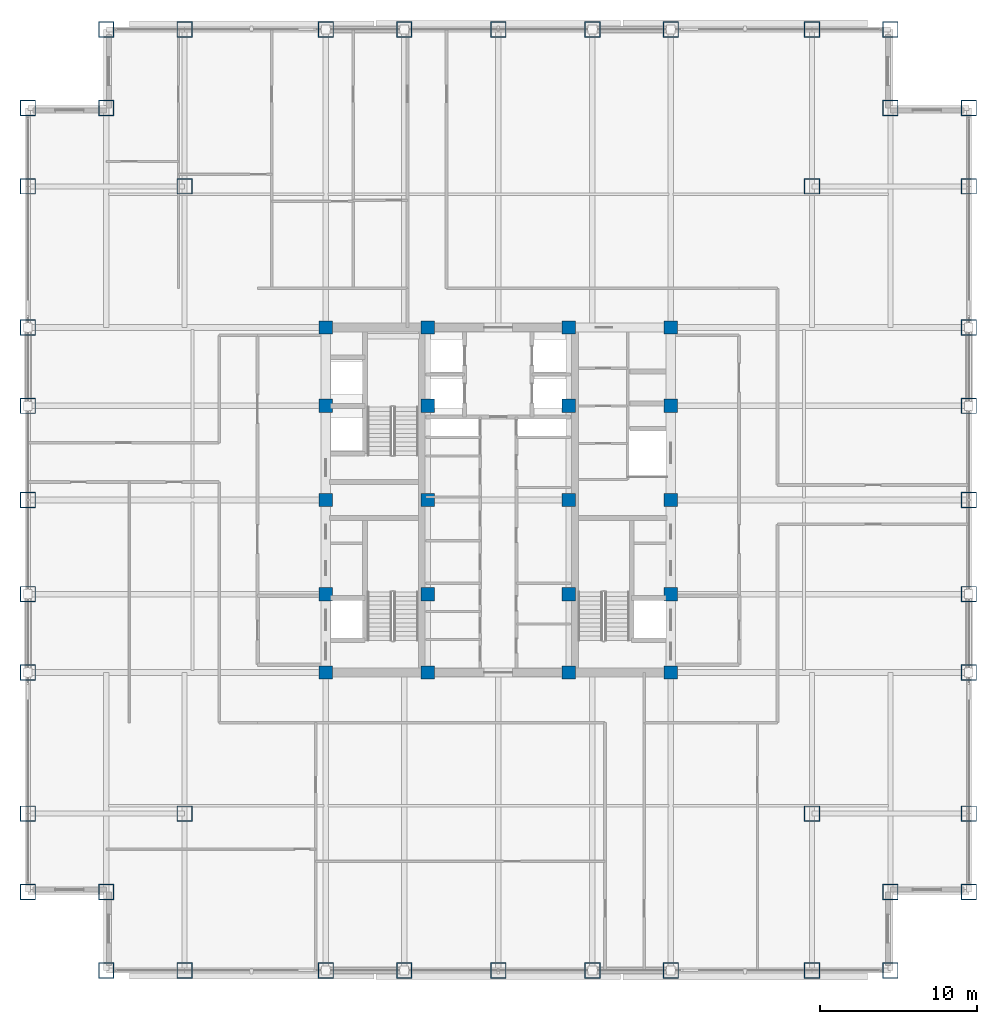
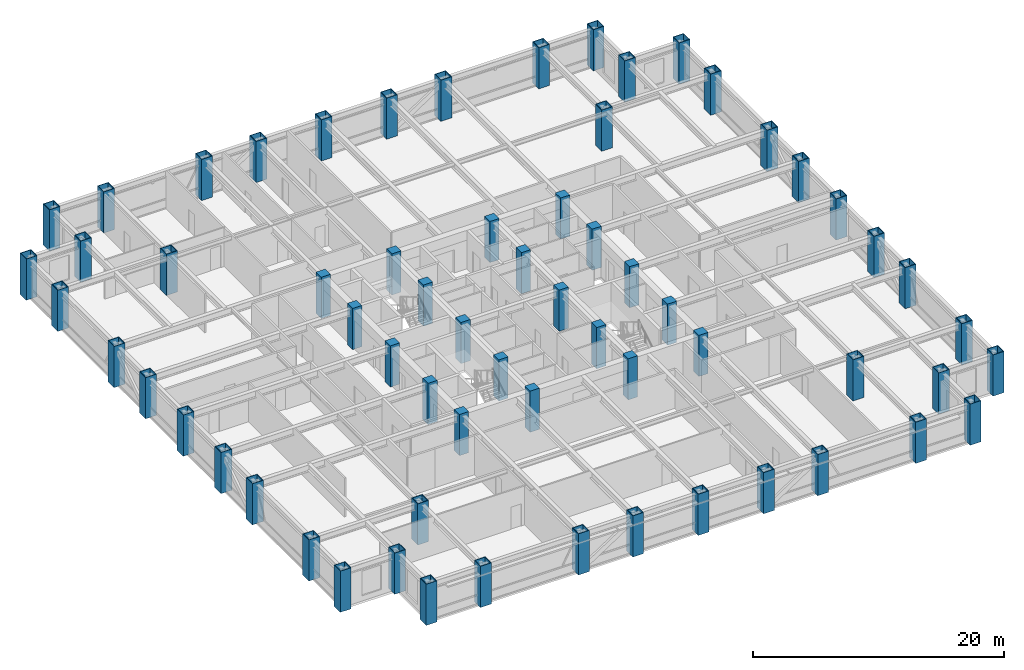
# One storey, part 1 of 29: 64 columns.
"""IFC4 building model written with IfcOpenShell, lengths in metres."""

from ifc_helpers import new_model, si_unit, direction, frame, origin, origin_2d, place, context, subcontext, project, spatial, rectangle, hollow_rectangle, extrude, source, transform, mapped, material, material_profile, profile_set, type_object, element, save


model = new_model("IFC4")

# Units and contexts
model_context = context("Model", 3, precision=1e-05, world=origin(), true_north=direction((0.0, 1.0)))
body_context = subcontext(model_context, "Body", "Model", "MODEL_VIEW")
ifc_project = project(units=[si_unit("LENGTHUNIT", "METRE"), si_unit("AREAUNIT", "SQUARE_METRE"), si_unit("VOLUMEUNIT", "CUBIC_METRE"), si_unit("PLANEANGLEUNIT", "RADIAN"), si_unit("MASSUNIT", "GRAM", prefix="KILO")], contexts=[model_context])

# Site, building, storey
site_placement = place(None, origin())
site = spatial("IfcSite", under=ifc_project, at=site_placement, CompositionType="ELEMENT")
building_placement = place(site_placement, origin())
building = spatial("IfcBuilding", under=site, at=building_placement, Name="Khorayat Bourse Tower", CompositionType="ELEMENT")
storey_placement = place(building_placement, frame((0.0, 0.0, 243.10009765625)))
storey = spatial("IfcBuildingStorey", under=building, at=storey_placement, Name="L57", CompositionType="ELEMENT", Elevation=243.10009765625)

# Columns
ifc_material_1 = material(Name="Concrete C60/75", Category="concrete")
ifc_material_profile_1 = material_profile(ifc_material_1, rectangle(XDim=0.85009765625, YDim=0.85009765625, at=origin_2d()), Name="RC 850x850")
ifc_profile_set_1 = profile_set([ifc_material_profile_1], Name="Concrete C60/75")
column_type_1 = type_object("IfcColumnType", Name="COL-CORE-850", PredefinedType="COLUMN", material=ifc_profile_set_1)
shared_shape_1 = source(origin(), body_context, "Body", "SweptSolid", [
    extrude(rectangle(XDim=0.85009765625, YDim=0.85009765625, at=origin_2d()), origin(), (0.0, 0.0, 1.0), 4.0),
])
for number, where, z_axis, x_axis, name in (
    (1, (-11.0, -11.0, 0.0), (0.0, 0.0, 1.0), (1.0, 0.0, 0.0), "L57 Column 019"),
    (2, (-11.0, -6.0, 0.0), (0.0, 0.0, 1.0), (1.0, 0.0, 0.0), "L57 Column 020"),
    (3, (-11.0, 0.0, 0.0), (0.0, 0.0, 1.0), (1.0, 0.0, 0.0), "L57 Column 021"),
    (4, (-11.0, 6.0, 0.0), (0.0, 0.0, 1.0), (1.0, 0.0, 0.0), "L57 Column 022"),
    (5, (-11.0, 11.0, 0.0), (0.0, 0.0, 1.0), (1.0, 0.0, 0.0), "L57 Column 023"),
    (6, (-4.5, -11.0, 0.0), (0.0, 0.0, 1.0), (1.0, 0.0, 0.0), "L57 Column 027"),
    (7, (-4.5, -6.0, 0.0), (0.0, 0.0, 1.0), (1.0, 0.0, 0.0), "L57 Column 028"),
    (8, (-4.5, 0.0, 0.0), (0.0, 0.0, 1.0), (1.0, 0.0, 0.0), "L57 Column 029"),
    (9, (-4.5, 6.0, 0.0), (0.0, 0.0, 1.0), (1.0, 0.0, 0.0), "L57 Column 030"),
    (10, (-4.5, 11.0, 0.0), (0.0, 0.0, 1.0), (1.0, 0.0, 0.0), "L57 Column 031"),
    (11, (4.5, -11.0, 0.0), (0.0, 0.0, 1.0), (1.0, 0.0, 0.0), "L57 Column 034"),
    (12, (4.5, -6.0, 0.0), (0.0, 0.0, 1.0), (1.0, 0.0, 0.0), "L57 Column 035"),
    (13, (4.5, 0.0, 0.0), (0.0, 0.0, 1.0), (1.0, 0.0, 0.0), "L57 Column 036"),
    (14, (4.5, 6.0, 0.0), (0.0, 0.0, 1.0), (1.0, 0.0, 0.0), "L57 Column 037"),
    (15, (4.5, 11.0, 0.0), (0.0, 0.0, 1.0), (1.0, 0.0, 0.0), "L57 Column 038"),
    (16, (11.0, -11.0, 0.0), (0.0, 0.0, 1.0), (1.0, 0.0, 0.0), "L57 Column 042"),
    (17, (11.0, -6.0, 0.0), (0.0, 0.0, 1.0), (1.0, 0.0, 0.0), "L57 Column 043"),
    (18, (11.0, 0.0, 0.0), (0.0, 0.0, 1.0), (1.0, 0.0, 0.0), "L57 Column 044"),
    (19, (11.0, 6.0, 0.0), (0.0, 0.0, 1.0), (1.0, 0.0, 0.0), "L57 Column 045"),
    (20, (11.0, 11.0, 0.0), (0.0, 0.0, 1.0), (1.0, 0.0, 0.0), "L57 Column 046"),
):
    element("IfcColumn", number, at=place(storey_placement, frame(where, z_axis=z_axis, x_axis=x_axis)), inside=storey, type_object=column_type_1, Name=name, PredefinedType="COLUMN", context=body_context, shape_type="MappedRepresentation", body=[
        mapped(shared_shape_1, transform((0.0, 0.0, 0.0), scale=1.0)),
    ])
ifc_material_2 = material(Name="Steel EN 10025-4 S460M", Category="steel")
ifc_material_profile_2 = material_profile(ifc_material_2, hollow_rectangle(XDim=1.0, YDim=1.0, WallThickness=0.054931640625, at=origin_2d()), Name="BOX 1000x1000x55")
ifc_profile_set_2 = profile_set([ifc_material_profile_2], Name="Steel EN 10025-4 S460M")
column_type_2 = type_object("IfcColumnType", Name="COL-TUBE-1000", PredefinedType="COLUMN", material=ifc_profile_set_2)
shared_shape_2 = source(origin(), body_context, "Body", "SweptSolid", [
    extrude(hollow_rectangle(XDim=1.0, YDim=1.0, WallThickness=0.054931640625, at=origin_2d()), origin(), (0.0, 0.0, 1.0), 4.0),
])
for number, where, z_axis, x_axis, name in (
    (21, (-30.0, -25.0, 0.0), (0.0, 0.0, 1.0), (1.0, 0.0, 0.0), "L57 Column 001"),
    (22, (-30.0, -20.0, 0.0), (0.0, 0.0, 1.0), (1.0, 0.0, 0.0), "L57 Column 002"),
    (23, (-30.0, -11.0, 0.0), (0.0, 0.0, 1.0), (1.0, 0.0, 0.0), "L57 Column 003"),
    (24, (-30.0, -6.0, 0.0), (0.0, 0.0, 1.0), (1.0, 0.0, 0.0), "L57 Column 004"),
    (25, (-30.0, 0.0, 0.0), (0.0, 0.0, 1.0), (1.0, 0.0, 0.0), "L57 Column 005"),
    (26, (-30.0, 6.0, 0.0), (0.0, 0.0, 1.0), (1.0, 0.0, 0.0), "L57 Column 006"),
    (27, (-30.0, 11.0, 0.0), (0.0, 0.0, 1.0), (1.0, 0.0, 0.0), "L57 Column 007"),
    (28, (-30.0, 20.0, 0.0), (0.0, 0.0, 1.0), (1.0, 0.0, 0.0), "L57 Column 008"),
    (29, (-30.0, 25.0, 0.0), (0.0, 0.0, 1.0), (1.0, 0.0, 0.0), "L57 Column 009"),
    (30, (-25.0, -30.0, 0.0), (0.0, 0.0, 1.0), (1.0, 0.0, 0.0), "L57 Column 010"),
    (31, (-25.0, -25.0, 0.0), (0.0, 0.0, 1.0), (1.0, 0.0, 0.0), "L57 Column 011"),
    (32, (-25.0, 25.0, 0.0), (0.0, 0.0, 1.0), (1.0, 0.0, 0.0), "L57 Column 012"),
    (33, (-25.0, 30.0, 0.0), (0.0, 0.0, 1.0), (1.0, 0.0, 0.0), "L57 Column 013"),
    (34, (-20.0, -30.0, 0.0), (0.0, 0.0, 1.0), (1.0, 0.0, 0.0), "L57 Column 014"),
    (35, (-20.0, -20.0, 0.0), (0.0, 0.0, 1.0), (1.0, 0.0, 0.0), "L57 Column 015"),
    (36, (-20.0, 20.0, 0.0), (0.0, 0.0, 1.0), (1.0, 0.0, 0.0), "L57 Column 016"),
    (37, (-20.0, 30.0, 0.0), (0.0, 0.0, 1.0), (1.0, 0.0, 0.0), "L57 Column 017"),
    (38, (-11.0, -30.0, 0.0), (0.0, 0.0, 1.0), (1.0, 0.0, 0.0), "L57 Column 018"),
    (39, (-11.0, 30.0, 0.0), (0.0, 0.0, 1.0), (1.0, 0.0, 0.0), "L57 Column 024"),
    (40, (-6.0, -30.0, 0.0), (0.0, 0.0, 1.0), (1.0, 0.0, 0.0), "L57 Column 025"),
    (41, (-6.0, 30.0, 0.0), (0.0, 0.0, 1.0), (1.0, 0.0, 0.0), "L57 Column 026"),
    (42, (0.0, -30.0, 0.0), (0.0, 0.0, 1.0), (1.0, 0.0, 0.0), "L57 Column 032"),
    (43, (0.0, 30.0, 0.0), (0.0, 0.0, 1.0), (1.0, 0.0, 0.0), "L57 Column 033"),
    (44, (6.0, -30.0, 0.0), (0.0, 0.0, 1.0), (1.0, 0.0, 0.0), "L57 Column 039"),
    (45, (6.0, 30.0, 0.0), (0.0, 0.0, 1.0), (1.0, 0.0, 0.0), "L57 Column 040"),
    (46, (11.0, -30.0, 0.0), (0.0, 0.0, 1.0), (1.0, 0.0, 0.0), "L57 Column 041"),
    (47, (11.0, 30.0, 0.0), (0.0, 0.0, 1.0), (1.0, 0.0, 0.0), "L57 Column 047"),
    (48, (20.0, -30.0, 0.0), (0.0, 0.0, 1.0), (1.0, 0.0, 0.0), "L57 Column 048"),
    (49, (20.0, -20.0, 0.0), (0.0, 0.0, 1.0), (1.0, 0.0, 0.0), "L57 Column 049"),
    (50, (20.0, 20.0, 0.0), (0.0, 0.0, 1.0), (1.0, 0.0, 0.0), "L57 Column 050"),
    (51, (20.0, 30.0, 0.0), (0.0, 0.0, 1.0), (1.0, 0.0, 0.0), "L57 Column 051"),
    (52, (25.0, -30.0, 0.0), (0.0, 0.0, 1.0), (1.0, 0.0, 0.0), "L57 Column 052"),
    (53, (25.0, -25.0, 0.0), (0.0, 0.0, 1.0), (1.0, 0.0, 0.0), "L57 Column 053"),
    (54, (25.0, 25.0, 0.0), (0.0, 0.0, 1.0), (1.0, 0.0, 0.0), "L57 Column 054"),
    (55, (25.0, 30.0, 0.0), (0.0, 0.0, 1.0), (1.0, 0.0, 0.0), "L57 Column 055"),
    (56, (30.0, -25.0, 0.0), (0.0, 0.0, 1.0), (1.0, 0.0, 0.0), "L57 Column 056"),
    (57, (30.0, -20.0, 0.0), (0.0, 0.0, 1.0), (1.0, 0.0, 0.0), "L57 Column 057"),
    (58, (30.0, -11.0, 0.0), (0.0, 0.0, 1.0), (1.0, 0.0, 0.0), "L57 Column 058"),
    (59, (30.0, -6.0, 0.0), (0.0, 0.0, 1.0), (1.0, 0.0, 0.0), "L57 Column 059"),
    (60, (30.0, 0.0, 0.0), (0.0, 0.0, 1.0), (1.0, 0.0, 0.0), "L57 Column 060"),
    (61, (30.0, 6.0, 0.0), (0.0, 0.0, 1.0), (1.0, 0.0, 0.0), "L57 Column 061"),
    (62, (30.0, 11.0, 0.0), (0.0, 0.0, 1.0), (1.0, 0.0, 0.0), "L57 Column 062"),
    (63, (30.0, 20.0, 0.0), (0.0, 0.0, 1.0), (1.0, 0.0, 0.0), "L57 Column 063"),
    (64, (30.0, 25.0, 0.0), (0.0, 0.0, 1.0), (1.0, 0.0, 0.0), "L57 Column 064"),
):
    element("IfcColumn", number, at=place(storey_placement, frame(where, z_axis=z_axis, x_axis=x_axis)), inside=storey, type_object=column_type_2, Name=name, PredefinedType="COLUMN", context=body_context, shape_type="MappedRepresentation", body=[
        mapped(shared_shape_2, transform((0.0, 0.0, 0.0), scale=1.0)),
    ])

save(model, "model.ifc")
